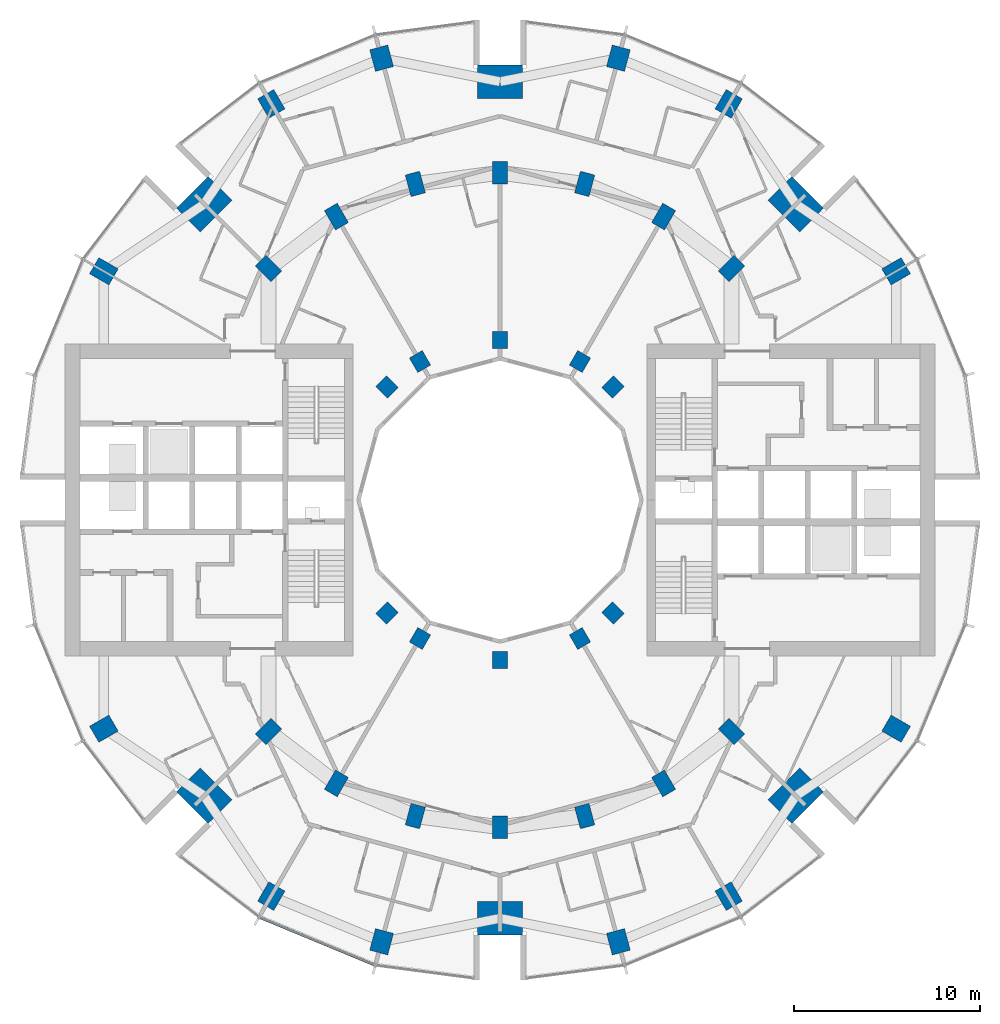
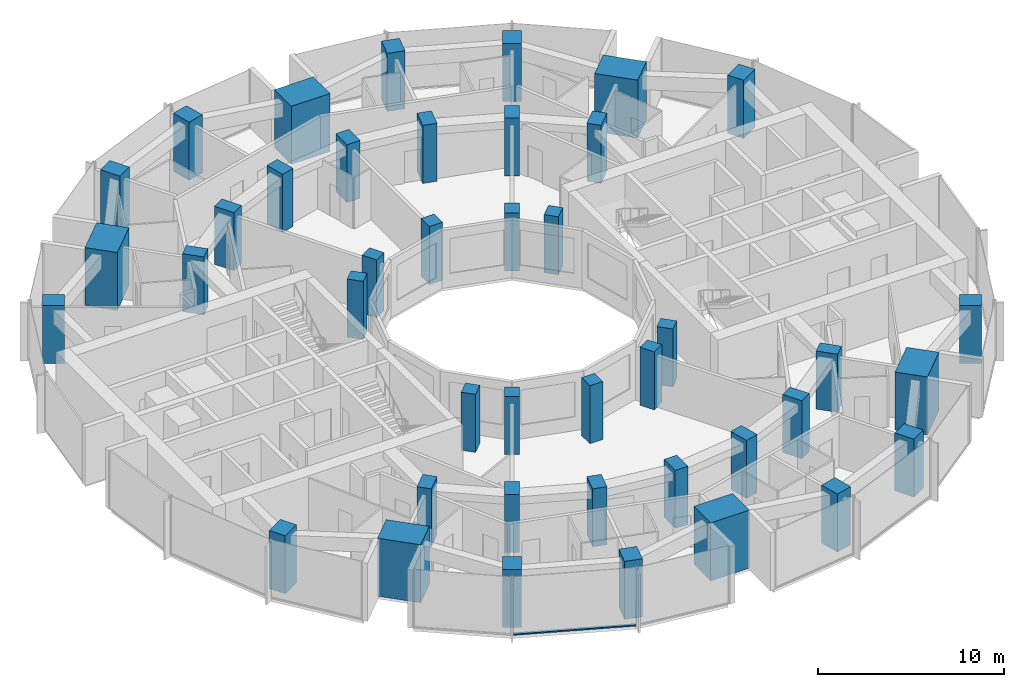
# One storey, part 1 of 15: 42 columns, 1 member, 1 element without a shape of its own.
"""IFC4 building model written with IfcOpenShell, lengths in metres."""

from ifc_helpers import new_model, si_unit, direction, frame, origin, origin_2d, place, context, subcontext, project, spatial, rectangle, extrude, material, layer, layer_set, material_profile, profile_set, type_object, element, aggregate, save


model = new_model("IFC4")

# Units and contexts
model_context = context("Model", 3, precision=1e-05, world=origin(), true_north=direction((0.0, 1.0)))
body_context = subcontext(model_context, "Body", "Model", "MODEL_VIEW")
ifc_project = project(units=[si_unit("LENGTHUNIT", "METRE"), si_unit("AREAUNIT", "SQUARE_METRE"), si_unit("VOLUMEUNIT", "CUBIC_METRE"), si_unit("PLANEANGLEUNIT", "RADIAN"), si_unit("MASSUNIT", "GRAM", prefix="KILO")], contexts=[model_context])

# Site, building, storey
site_placement = place(None, origin())
site = spatial("IfcSite", under=ifc_project, at=site_placement, CompositionType="ELEMENT")
building_placement = place(site_placement, origin())
building = spatial("IfcBuilding", under=site, at=building_placement, Name="Torre Brocal", CompositionType="ELEMENT")
storey_placement = place(building_placement, frame((0.0, 0.0, 90.0)))
storey = spatial("IfcBuildingStorey", under=building, at=storey_placement, Name="L20", CompositionType="ELEMENT", Elevation=90.0)

# Columns
ifc_material_1 = material(Name="Concrete C80", Category="concrete")
ifc_material_profile_1 = material_profile(ifc_material_1, rectangle(XDim=1.199951171875, YDim=1.0, at=origin_2d()), Name="RC 1200X1000")
ifc_profile_set_1 = profile_set([ifc_material_profile_1], Name="Concrete C80")
column_type_1 = type_object("IfcColumnType", Name="RC COLUMN 1200X1000 C80", PredefinedType="COLUMN", material=ifc_profile_set_1)
for number, where, z_axis, x_axis, name in (
    (1, (101.30419921875, 87.300048828125, 0.0), (0.0, 0.0, 1.0), (0.866025403784, 0.5, 0.0), "Column C-O02"),
    (2, (92.300048828125, 96.30419921875, 0.0), (0.0, 0.0, 1.0), (0.5, 0.866025403784, 0.0), "Column C-O04"),
    (3, (86.366943359375, 98.76171875, 0.0), (0.0, 0.0, 1.0), (0.258819045103, 0.965925826289, 0.0), "Column C-O05"),
    (4, (73.633056640625, 98.76171875, 0.0), (0.0, 0.0, 1.0), (-0.258819045103, 0.965925826289, 0.0), "Column C-O07"),
    (5, (67.699951171875, 96.30419921875, 0.0), (0.0, 0.0, 1.0), (-0.5, 0.866025403784, 0.0), "Column C-O08"),
    (6, (58.69580078125, 87.300048828125, 0.0), (0.0, 0.0, 1.0), (-0.866025403784, 0.5, 0.0), "Column C-O10"),
    (7, (58.69580078125, 62.699951171875, 0.0), (0.0, 0.0, 1.0), (-0.866025403784, -0.5, 0.0), "Column C-O14"),
    (8, (67.699951171875, 53.69580078125, 0.0), (0.0, 0.0, 1.0), (-0.5, -0.866025403784, 0.0), "Column C-O16"),
    (9, (73.633056640625, 51.23828125, 0.0), (0.0, 0.0, 1.0), (-0.258819045103, -0.965925826289, 0.0), "Column C-O17"),
    (10, (86.366943359375, 51.23828125, 0.0), (0.0, 0.0, 1.0), (0.258819045103, -0.965925826289, 0.0), "Column C-O19"),
    (11, (92.300048828125, 53.69580078125, 0.0), (0.0, 0.0, 1.0), (0.5, -0.866025403784, 0.0), "Column C-O20"),
    (12, (101.30419921875, 62.699951171875, 0.0), (0.0, 0.0, 1.0), (0.866025403784, -0.5, 0.0), "Column C-O22"),
):
    element("IfcColumn", number, at=place(storey_placement, frame(where, z_axis=z_axis, x_axis=x_axis)), inside=storey, type_object=column_type_1, Name=name, PredefinedType="COLUMN", context=body_context, shape_type="SweptSolid", body=[
        extrude(rectangle(XDim=1.199951171875, YDim=1.0, at=origin_2d()), origin(), (0.0, 0.0, 1.0), 3.800048828125),
    ])
ifc_material_2 = material(Name="Concrete C80", Category="concrete")
ifc_material_profile_2 = material_profile(ifc_material_2, rectangle(XDim=1.199951171875, YDim=0.800048828125, at=origin_2d()), Name="RC 1200X800")
ifc_profile_set_2 = profile_set([ifc_material_profile_2], Name="Concrete C80")
column_type_2 = type_object("IfcColumnType", Name="RC COLUMN 1200X800 C80", PredefinedType="COLUMN", material=ifc_profile_set_2)
for number, where, z_axis, x_axis, name in (
    (13, (92.445068359375, 87.445068359375, 0.0), (0.0, 0.0, 1.0), (0.707106781187, 0.707106781187, 0.0), "Column C-M03"),
    (14, (88.800048828125, 90.241943359375, 0.0), (0.0, 0.0, 1.0), (0.5, 0.866025403784, 0.0), "Column C-M04"),
    (15, (84.55517578125, 92.000244140625, 0.0), (0.0, 0.0, 1.0), (0.258819045103, 0.965925826289, 0.0), "Column C-M05"),
    (16, (80.0, 92.60009765625, 0.0), (0.0, 0.0, 1.0), (0.0, 1.0, 0.0), "Column C-M06"),
    (17, (75.44482421875, 92.000244140625, 0.0), (0.0, 0.0, 1.0), (-0.258819045103, 0.965925826289, 0.0), "Column C-M07"),
    (18, (71.199951171875, 90.241943359375, 0.0), (0.0, 0.0, 1.0), (-0.5, 0.866025403784, 0.0), "Column C-M08"),
    (19, (67.554931640625, 87.445068359375, 0.0), (0.0, 0.0, 1.0), (-0.707106781187, 0.707106781187, 0.0), "Column C-M09"),
    (20, (67.554931640625, 62.554931640625, 0.0), (0.0, 0.0, 1.0), (-0.707106781187, -0.707106781187, 0.0), "Column C-M15"),
    (21, (71.199951171875, 59.758056640625, 0.0), (0.0, 0.0, 1.0), (-0.5, -0.866025403784, 0.0), "Column C-M16"),
    (22, (75.44482421875, 57.999755859375, 0.0), (0.0, 0.0, 1.0), (-0.258819045103, -0.965925826289, 0.0), "Column C-M17"),
    (23, (80.0, 57.39990234375, 0.0), (0.0, 0.0, 1.0), (0.0, -1.0, 0.0), "Column C-M18"),
    (24, (84.55517578125, 57.999755859375, 0.0), (0.0, 0.0, 1.0), (0.258819045103, -0.965925826289, 0.0), "Column C-M19"),
    (25, (88.800048828125, 59.758056640625, 0.0), (0.0, 0.0, 1.0), (0.5, -0.866025403784, 0.0), "Column C-M20"),
    (26, (92.445068359375, 62.554931640625, 0.0), (0.0, 0.0, 1.0), (0.707106781187, -0.707106781187, 0.0), "Column C-M21"),
):
    element("IfcColumn", number, at=place(storey_placement, frame(where, z_axis=z_axis, x_axis=x_axis)), inside=storey, type_object=column_type_2, Name=name, PredefinedType="COLUMN", context=body_context, shape_type="SweptSolid", body=[
        extrude(rectangle(XDim=1.199951171875, YDim=0.800048828125, at=origin_2d()), origin(), (0.0, 0.0, 1.0), 3.800048828125),
    ])
ifc_material_3 = material(Name="Concrete C80", Category="concrete")
ifc_material_profile_3 = material_profile(ifc_material_3, rectangle(XDim=1.800048828125, YDim=2.39990234375, at=origin_2d()), Name="RC 1800X2400")
ifc_profile_set_3 = profile_set([ifc_material_profile_3], Name="Concrete C80")
column_type_3 = type_object("IfcColumnType", Name="RC COLUMN 1800X2400 C80", PredefinedType="COLUMN", material=ifc_profile_set_3)
for number, where, z_axis, x_axis, name in (
    (27, (95.909912109375, 90.909912109375, 0.0), (0.0, 0.0, 1.0), (0.707106781187, 0.707106781187, 0.0), "Column MC-1"),
    (28, (80.0, 97.5, 0.0), (0.0, 0.0, 1.0), (0.0, 1.0, 0.0), "Column MC-2"),
    (29, (64.090087890625, 90.909912109375, 0.0), (0.0, 0.0, 1.0), (-0.707106781187, 0.707106781187, 0.0), "Column MC-3"),
    (30, (64.090087890625, 59.090087890625, 0.0), (0.0, 0.0, 1.0), (-0.707106781187, -0.707106781187, 0.0), "Column MC-5"),
    (31, (80.0, 52.5, 0.0), (0.0, 0.0, 1.0), (0.0, -1.0, 0.0), "Column MC-6"),
    (32, (95.909912109375, 59.090087890625, 0.0), (0.0, 0.0, 1.0), (0.707106781187, -0.707106781187, 0.0), "Column MC-7"),
):
    element("IfcColumn", number, at=place(storey_placement, frame(where, z_axis=z_axis, x_axis=x_axis)), inside=storey, type_object=column_type_3, Name=name, PredefinedType="COLUMN", context=body_context, shape_type="SweptSolid", body=[
        extrude(rectangle(XDim=1.800048828125, YDim=2.39990234375, at=origin_2d()), origin(), (0.0, 0.0, 1.0), 3.800048828125),
    ])
ifc_material_4 = material(Name="Concrete C80", Category="concrete")
ifc_material_profile_4 = material_profile(ifc_material_4, rectangle(XDim=0.89990234375, YDim=0.800048828125, at=origin_2d()), Name="RC 900X800")
ifc_profile_set_4 = profile_set([ifc_material_profile_4], Name="Concrete C80")
column_type_4 = type_object("IfcColumnType", Name="RC COLUMN 900X800 C80", PredefinedType="COLUMN", material=ifc_profile_set_4)
for number, where, z_axis, x_axis, name in (
    (33, (86.0810546875, 81.0810546875, 0.0), (0.0, 0.0, 1.0), (0.707106781187, 0.707106781187, 0.0), "Column C-I03"),
    (34, (84.300048828125, 82.44775390625, 0.0), (0.0, 0.0, 1.0), (0.5, 0.866025403784, 0.0), "Column C-I04"),
    (35, (80.0, 83.60009765625, 0.0), (0.0, 0.0, 1.0), (0.0, 1.0, 0.0), "Column C-I06"),
    (36, (75.699951171875, 82.44775390625, 0.0), (0.0, 0.0, 1.0), (-0.5, 0.866025403784, 0.0), "Column C-I08"),
    (37, (73.9189453125, 81.0810546875, 0.0), (0.0, 0.0, 1.0), (-0.707106781187, 0.707106781187, 0.0), "Column C-I09"),
    (38, (73.9189453125, 68.9189453125, 0.0), (0.0, 0.0, 1.0), (-0.707106781187, -0.707106781187, 0.0), "Column C-I15"),
    (39, (75.699951171875, 67.55224609375, 0.0), (0.0, 0.0, 1.0), (-0.5, -0.866025403784, 0.0), "Column C-I16"),
    (40, (80.0, 66.39990234375, 0.0), (0.0, 0.0, 1.0), (0.0, -1.0, 0.0), "Column C-I18"),
    (41, (84.300048828125, 67.55224609375, 0.0), (0.0, 0.0, 1.0), (0.5, -0.866025403784, 0.0), "Column C-I20"),
    (42, (86.0810546875, 68.9189453125, 0.0), (0.0, 0.0, 1.0), (0.707106781187, -0.707106781187, 0.0), "Column C-I21"),
):
    element("IfcColumn", number, at=place(storey_placement, frame(where, z_axis=z_axis, x_axis=x_axis)), inside=storey, type_object=column_type_4, Name=name, PredefinedType="COLUMN", context=body_context, shape_type="SweptSolid", body=[
        extrude(rectangle(XDim=0.89990234375, YDim=0.800048828125, at=origin_2d()), origin(), (0.0, 0.0, 1.0), 3.800048828125),
    ])

# Curtain wall, member
ifc_material_5 = material(Name="Aluminium and glass", Category="aluminium")
ifc_layer = layer(ifc_material_5, 0.199951171875)
ifc_layer_set = layer_set([ifc_layer], Name="Aluminium and glass")
curtain_wall_type = type_object("IfcCurtainWallType", Name="CW-1 CURTAIN WALL 3800 HIGH", PredefinedType="NOTDEFINED", material=ifc_layer_set)
curtain_wall_placement = place(storey_placement, origin())
curtain_wall = element("IfcCurtainWall", 43, at=curtain_wall_placement, inside=storey, type_object=curtain_wall_type, Name="CW-1 RUN 17", PredefinedType="NOTDEFINED")
ifc_material_6 = material(Name="Aluminium, dark anodised", Category="aluminium")
ifc_material_profile_5 = material_profile(ifc_material_6, rectangle(XDim=0.159912109375, YDim=0.080078125, at=origin_2d()), Name="CW-1 TRANSOM 160X80")
ifc_profile_set_5 = profile_set([ifc_material_profile_5], Name="Aluminium, dark anodised")
member_type = type_object("IfcMemberType", Name="CW-1 TRANSOM 160X80", PredefinedType="USERDEFINED", material=ifc_profile_set_5)
member_placement = place(storey_placement, frame((67.10595703125, 52.547607421875, 0.0400390625), z_axis=(0.923887344364, -0.38266457234, 0.0), x_axis=(0.38266457234, 0.923887344364, 0.0)))
member = element("IfcMember", 44, at=member_placement, type_object=member_type, Name="CW1-1 transom 1.1", ObjectType="TRANSOM", PredefinedType="USERDEFINED", context=body_context, shape_type="SweptSolid", body=[
    extrude(rectangle(XDim=0.159912109375, YDim=0.080078125, at=origin_2d()), origin(), (0.0, 0.0, 1.0), 6.640869140625),
])
aggregate(curtain_wall, [member])

save(model, "model.ifc")
